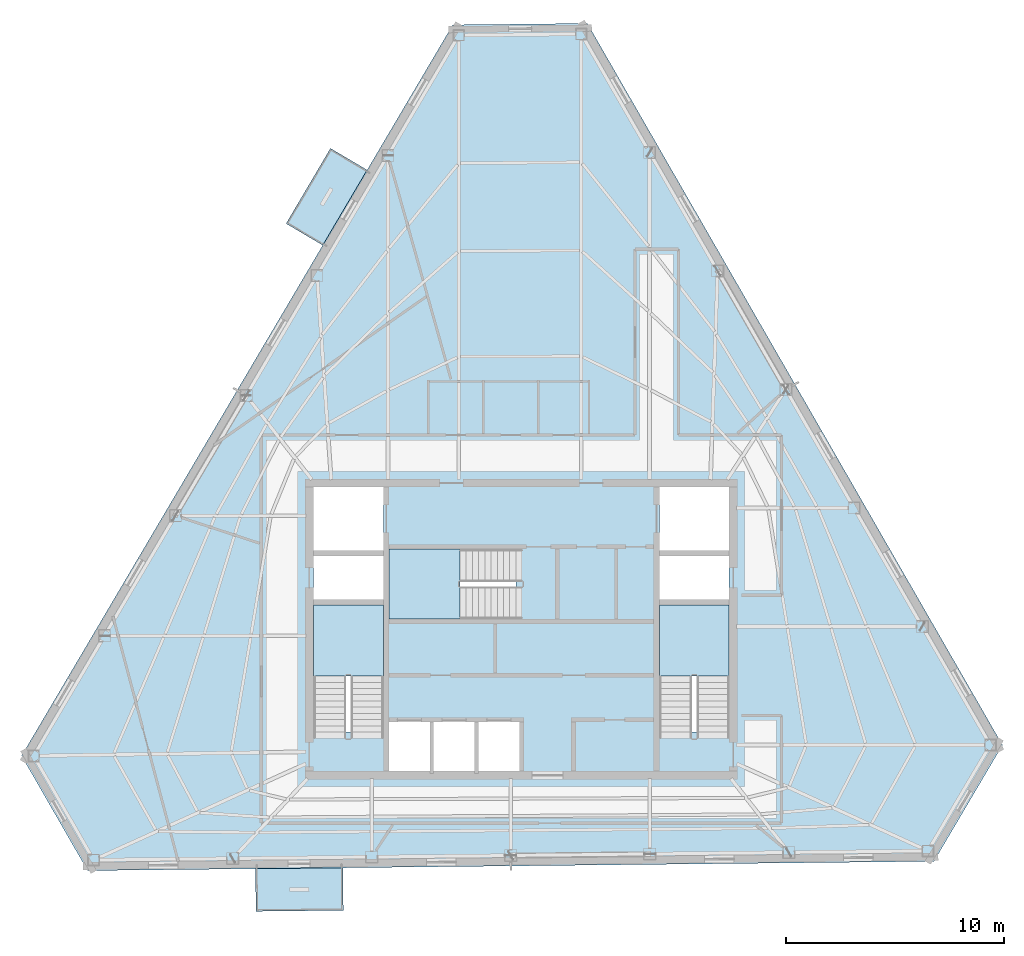
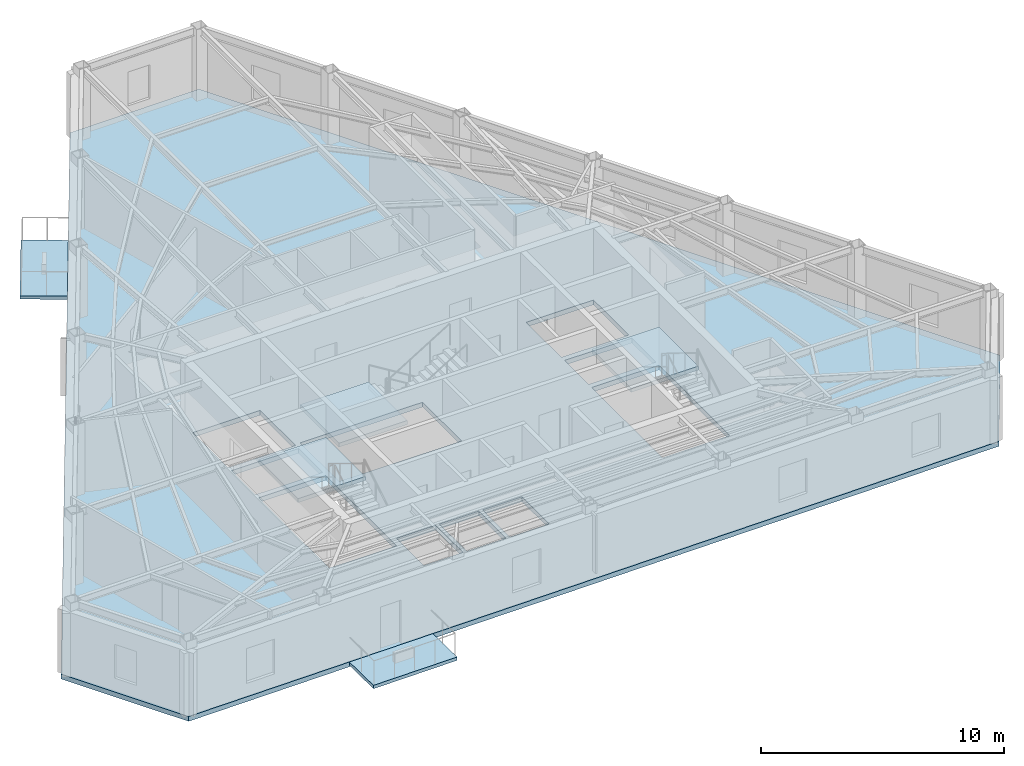
# One storey, part 3 of 11: 6 slabs, 3 elements without a shape of their own.
"""IFC4 building model written with IfcOpenShell, lengths in metres."""

from ifc_helpers import new_model, si_unit, direction, frame, origin, place, context, subcontext, project, spatial, polyline, outline, extrude, material, layer, layer_set, type_object, element, aggregate, save


model = new_model("IFC4")

# Units and contexts
model_context = context("Model", 3, precision=1e-05, world=origin(), true_north=direction((0.0, 1.0)))
body_context = subcontext(model_context, "Body", "Model", "MODEL_VIEW")
ifc_project = project(units=[si_unit("LENGTHUNIT", "METRE"), si_unit("AREAUNIT", "SQUARE_METRE"), si_unit("VOLUMEUNIT", "CUBIC_METRE"), si_unit("PLANEANGLEUNIT", "RADIAN"), si_unit("MASSUNIT", "GRAM", prefix="KILO")], contexts=[model_context])

# Site, building, storey
site_placement = place(None, origin())
site = spatial("IfcSite", under=ifc_project, at=site_placement, CompositionType="ELEMENT")
building_placement = place(site_placement, origin())
building = spatial("IfcBuilding", under=site, at=building_placement, Name="Kavelnor Concourse Tower", CompositionType="ELEMENT")
storey_placement = place(building_placement, frame((0.0, 0.0, 285.699951171875)))
storey = spatial("IfcBuildingStorey", under=building, at=storey_placement, Name="L72", CompositionType="ELEMENT", Elevation=285.699951171875)

# Slabs
ifc_material = material(Name="Concrete C40/50", Category="concrete")
ifc_layer_1 = layer(ifc_material, 0.169921875, Name="Concrete C40/50")
ifc_layer_set_1 = layer_set([ifc_layer_1], Name="Concrete C40/50")
slab_type_1 = type_object("IfcSlabType", Name="SLB-BALCONY-170", PredefinedType="FLOOR", material=ifc_layer_set_1)
slab_1_placement = place(storey_placement, frame((0.0, 0.0, -0.169921875)))
element("IfcSlab", 1, at=slab_1_placement, inside=storey, type_object=slab_type_1, Name="L72 Cantilevered Tree Balcony Slab 1", PredefinedType="FLOOR", context=body_context, shape_type="SweptSolid", body=[
    extrude(outline(polyline([(27.22802734375, 34.6689453125), (29.26025390625, 38.1142578125), (30.93994140625, 37.12353515625), (28.907470703125, 33.67822265625), (27.22802734375, 34.6689453125)])), origin(), (0.0, 0.0, 1.0), 0.169921875),
])
slab_2_placement = place(storey_placement, frame((0.0, 0.0, -0.169921875)))
element("IfcSlab", 2, at=slab_2_placement, inside=storey, type_object=slab_type_1, Name="L72 Cantilevered Tree Balcony Slab 2", PredefinedType="FLOOR", context=body_context, shape_type="SweptSolid", body=[
    extrude(outline(polyline([(29.848876953125, 3.219970703125), (25.84912109375, 3.17626953125), (25.827880859375, 5.1259765625), (29.827392578125, 5.169921875), (29.848876953125, 3.219970703125)])), origin(), (0.0, 0.0, 1.0), 0.169921875),
])

# Stair, slab
stair_type = type_object("IfcStairType", Name="STR-CORE-1500", PredefinedType="HALF_TURN_STAIR", material=ifc_material)
stair_1_placement = place(storey_placement, origin())
stair_1 = element("IfcStair", 3, at=stair_1_placement, inside=storey, type_object=stair_type, Name="L72 ST1", PredefinedType="HALF_TURN_STAIR")
ifc_layer_2 = layer(ifc_material, 0.199951171875, Name="Concrete C40/50")
ifc_layer_set_2 = layer_set([ifc_layer_2], Name="Concrete C40/50")
slab_type_2 = type_object("IfcSlabType", Name="SLB-LANDING-200", PredefinedType="LANDING", material=ifc_layer_set_2)
slab_3_placement = place(storey_placement, frame((0.0, 0.0, 1.72509765625)))
slab_3 = element("IfcSlab", 4, at=slab_3_placement, type_object=slab_type_2, Name="ST1 landing 1", PredefinedType="LANDING", context=body_context, shape_type="SweptSolid", body=[
    extrude(outline(polyline([(31.679931640625, 13.949951171875), (31.679931640625, 17.199951171875), (28.47998046875, 17.199951171875), (28.47998046875, 13.949951171875), (31.679931640625, 13.949951171875)])), origin(), (0.0, 0.0, 1.0), 0.199951171875),
])
aggregate(stair_1, [slab_3])

stair_2_placement = place(storey_placement, origin())
stair_2 = element("IfcStair", 5, at=stair_2_placement, inside=storey, type_object=stair_type, Name="L72 ST2", PredefinedType="HALF_TURN_STAIR")
slab_4_placement = place(storey_placement, frame((0.0, 0.0, 1.72509765625)))
slab_4 = element("IfcSlab", 6, at=slab_4_placement, type_object=slab_type_2, Name="ST2 landing 1", PredefinedType="LANDING", context=body_context, shape_type="SweptSolid", body=[
    extrude(outline(polyline([(47.52001953125, 13.949951171875), (47.52001953125, 17.199951171875), (44.320068359375, 17.199951171875), (44.320068359375, 13.949951171875), (47.52001953125, 13.949951171875)])), origin(), (0.0, 0.0, 1.0), 0.199951171875),
])
aggregate(stair_2, [slab_4])

stair_3_placement = place(storey_placement, origin())
stair_3 = element("IfcStair", 7, at=stair_3_placement, inside=storey, type_object=stair_type, Name="L72 ST3", PredefinedType="HALF_TURN_STAIR")
slab_5_placement = place(storey_placement, frame((0.0, 0.0, 1.72509765625)))
slab_5 = element("IfcSlab", 8, at=slab_5_placement, type_object=slab_type_2, Name="ST3 landing 1", PredefinedType="LANDING", context=body_context, shape_type="SweptSolid", body=[
    extrude(outline(polyline([(35.18994140625, 19.760009765625), (31.93994140625, 19.760009765625), (31.93994140625, 16.56005859375), (35.18994140625, 16.56005859375), (35.18994140625, 19.760009765625)])), origin(), (0.0, 0.0, 1.0), 0.199951171875),
])
aggregate(stair_3, [slab_5])

# Slab
ifc_layer_3 = layer(ifc_material, 0.239990234375, Name="Concrete C40/50")
ifc_layer_set_3 = layer_set([ifc_layer_3], Name="Concrete C40/50")
slab_type_3 = type_object("IfcSlabType", Name="SLB-OFFICE-240", PredefinedType="FLOOR", material=ifc_layer_set_3)
slab_6_placement = place(storey_placement, frame((0.0, 0.0, -0.239990234375)))
element("IfcSlab", 9, at=slab_6_placement, inside=storey, type_object=slab_type_3, Name="L72 Composite Structural Floor Slab", PredefinedType="FLOOR", context=body_context, shape_type="SweptSolid", body=[
    extrude(outline(polyline([(41.0234375, 43.8359375), (34.85986328125, 43.7685546875), (15.115478515625, 10.2978515625), (18.138916015625, 5.0419921875), (56.893798828125, 5.465576171875), (60.033935546875, 10.788818359375), (41.0234375, 43.8359375)]), holes=[polyline([(28.47998046875, 11.3798828125), (31.679931640625, 11.3798828125), (31.679931640625, 17.199951171875), (28.47998046875, 17.199951171875), (28.47998046875, 11.3798828125)]), polyline([(44.320068359375, 11.3798828125), (47.52001953125, 11.3798828125), (47.52001953125, 17.199951171875), (44.320068359375, 17.199951171875), (44.320068359375, 11.3798828125)]), polyline([(31.93994140625, 16.56005859375), (37.760009765625, 16.56005859375), (37.760009765625, 19.760009765625), (31.93994140625, 19.760009765625), (31.93994140625, 16.56005859375)]), polyline([(28.47998046875, 19.699951171875), (31.679931640625, 19.699951171875), (31.679931640625, 22.60009765625), (28.47998046875, 22.60009765625), (28.47998046875, 19.699951171875)]), polyline([(44.320068359375, 19.699951171875), (47.52001953125, 19.699951171875), (47.52001953125, 22.60009765625), (44.320068359375, 22.60009765625), (44.320068359375, 19.699951171875)]), polyline([(31.93994140625, 9.60009765625), (33.81005859375, 9.60009765625), (33.81005859375, 11.840087890625), (31.93994140625, 11.840087890625), (31.93994140625, 9.60009765625)]), polyline([(33.989990234375, 9.60009765625), (35.860107421875, 9.60009765625), (35.860107421875, 11.840087890625), (33.989990234375, 11.840087890625), (33.989990234375, 9.60009765625)]), polyline([(36.0400390625, 9.60009765625), (37.909912109375, 9.60009765625), (37.909912109375, 11.840087890625), (36.0400390625, 11.840087890625), (36.0400390625, 9.60009765625)]), polyline([(28.47998046875, 17.4599609375), (31.679931640625, 17.4599609375), (31.679931640625, 19.43994140625), (28.47998046875, 19.43994140625), (28.47998046875, 17.4599609375)]), polyline([(44.320068359375, 17.4599609375), (47.52001953125, 17.4599609375), (47.52001953125, 19.43994140625), (44.320068359375, 19.43994140625), (44.320068359375, 17.4599609375)])]), origin(), (0.0, 0.0, 1.0), 0.239990234375),
])

save(model, "model.ifc")
